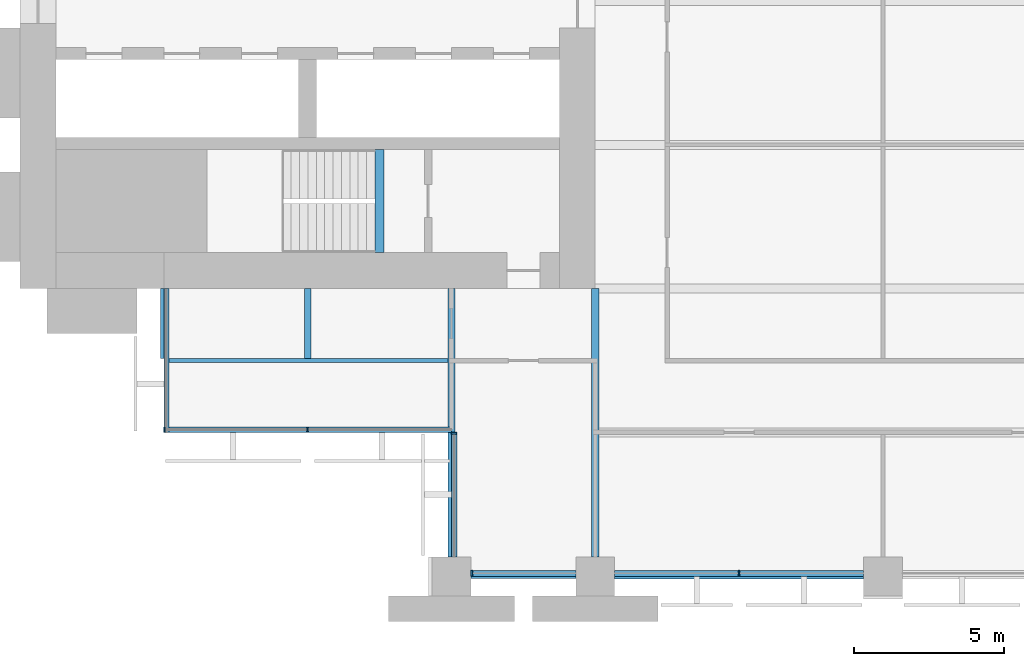
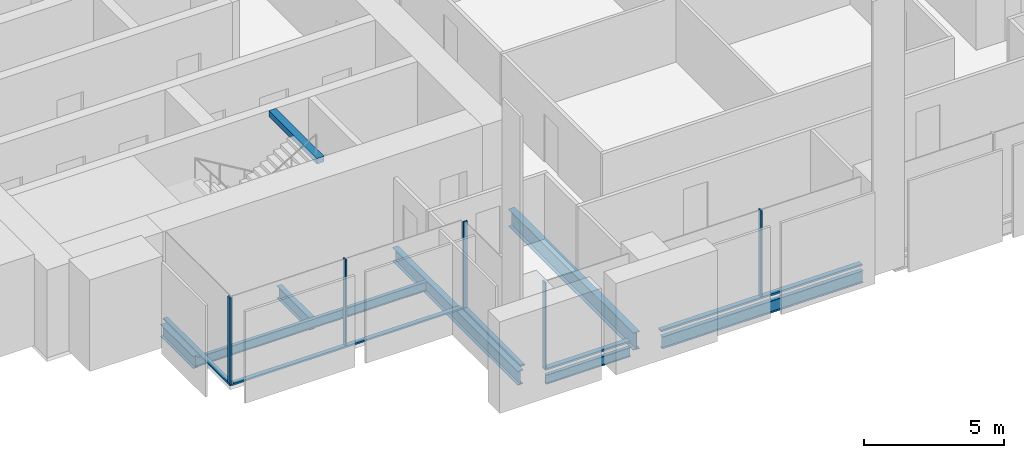
# One storey, part 2 of 14: 10 members, 8 beams, 4 elements without a shape of their own.
"""IFC4 building model written with IfcOpenShell, lengths in metres."""

from ifc_helpers import new_model, si_unit, direction, frame, origin, origin_2d, place, context, subcontext, project, spatial, rectangle, i_section, extrude, material, material_profile, profile_set, type_object, element, aggregate, save


model = new_model("IFC4")

# Units and contexts
model_context = context("Model", 3, precision=1e-05, world=origin(), true_north=direction((0.0, 1.0)))
body_context = subcontext(model_context, "Body", "Model", "MODEL_VIEW")
ifc_project = project(units=[si_unit("LENGTHUNIT", "METRE"), si_unit("AREAUNIT", "SQUARE_METRE"), si_unit("VOLUMEUNIT", "CUBIC_METRE"), si_unit("PLANEANGLEUNIT", "RADIAN"), si_unit("MASSUNIT", "GRAM", prefix="KILO")], contexts=[model_context])

# Site, building, storey
site_placement = place(None, origin())
site = spatial("IfcSite", under=ifc_project, at=site_placement, CompositionType="ELEMENT")
building_placement = place(site_placement, origin())
building = spatial("IfcBuilding", under=site, at=building_placement, Name="Baori Bourse Tower", CompositionType="ELEMENT")
storey_placement = place(building_placement, frame((0.0, 0.0, 75.0)))
storey = spatial("IfcBuildingStorey", under=building, at=storey_placement, Name="L16", CompositionType="ELEMENT", Elevation=75.0)

# Curtain wall, members
ifc_material_1 = material(Name="Pale anodised aluminium", Category="aluminium")
curtain_wall_type_1 = type_object("IfcCurtainWallType", Name="CW1 Curtain wall", PredefinedType="NOTDEFINED", material=ifc_material_1)
curtain_wall_1_placement = place(storey_placement, origin())
curtain_wall_1 = element("IfcCurtainWall", 1, at=curtain_wall_1_placement, inside=storey, type_object=curtain_wall_type_1, Name="Curtain wall CW1 L16 11", PredefinedType="NOTDEFINED")
ifc_material_2 = material(Name="Pale anodised aluminium", Category="aluminium")
ifc_material_profile_1 = material_profile(ifc_material_2, rectangle(XDim=0.199951171875, YDim=0.06005859375, at=origin_2d()), Name="Mullion 60x200")
ifc_profile_set_1 = profile_set([ifc_material_profile_1], Name="Pale anodised aluminium")
member_type_1 = type_object("IfcMemberType", Name="CW1 Curtain wall mullion", PredefinedType="MULLION", material=ifc_profile_set_1)
member_1_placement = place(storey_placement, frame((15.080078125, 0.10009765625, 0.080078125), z_axis=(0.0, 0.0, 1.0), x_axis=(0.0, 1.0, 0.0)))
member_1 = element("IfcMember", 2, at=member_1_placement, type_object=member_type_1, Name="Curtain wall CW1 mullion", PredefinedType="MULLION", context=body_context, shape_type="SweptSolid", body=[
    extrude(rectangle(XDim=0.199951171875, YDim=0.06005859375, at=origin_2d()), origin(), (0.0, 0.0, 1.0), 3.760009765625),
])
member_2_placement = place(storey_placement, frame((24.0, 0.10009765625, 0.080078125), z_axis=(0.0, 0.0, 1.0), x_axis=(0.0, 1.0, 0.0)))
member_2 = element("IfcMember", 3, at=member_2_placement, type_object=member_type_1, Name="Curtain wall CW1 mullion", PredefinedType="MULLION", context=body_context, shape_type="SweptSolid", body=[
    extrude(rectangle(XDim=0.199951171875, YDim=0.06005859375, at=origin_2d()), origin(), (0.0, 0.0, 1.0), 3.760009765625),
])
ifc_material_3 = material(Name="Pale anodised aluminium", Category="aluminium")
ifc_material_profile_2 = material_profile(ifc_material_3, rectangle(XDim=0.199951171875, YDim=0.080078125, at=origin_2d()), Name="Transom 80x200")
ifc_profile_set_2 = profile_set([ifc_material_profile_2], Name="Pale anodised aluminium")
member_type_2 = type_object("IfcMemberType", Name="CW1 Curtain wall transom", PredefinedType="USERDEFINED", material=ifc_profile_set_2)
member_3_placement = place(storey_placement, frame((15.050048828125, 0.10009765625, 0.0400390625), z_axis=(1.0, 0.0, 0.0), x_axis=(0.0, 1.0, 0.0)))
member_3 = element("IfcMember", 4, at=member_3_placement, type_object=member_type_2, Name="Curtain wall CW1 sill rail", ObjectType="TRANSOM", PredefinedType="USERDEFINED", context=body_context, shape_type="SweptSolid", body=[
    extrude(rectangle(XDim=0.199951171875, YDim=0.080078125, at=origin_2d()), origin(), (0.0, 0.0, 1.0), 3.5),
])
member_4_placement = place(storey_placement, frame((19.85009765625, 0.10009765625, 0.0400390625), z_axis=(1.0, 0.0, 0.0), x_axis=(0.0, 1.0, 0.0)))
member_4 = element("IfcMember", 5, at=member_4_placement, type_object=member_type_2, Name="Curtain wall CW1 sill rail", ObjectType="TRANSOM", PredefinedType="USERDEFINED", context=body_context, shape_type="SweptSolid", body=[
    extrude(rectangle(XDim=0.199951171875, YDim=0.080078125, at=origin_2d()), origin(), (0.0, 0.0, 1.0), 8.2998046875),
])
aggregate(curtain_wall_1, [member_3, member_1, member_4, member_2])

ifc_material_4 = material(Name="Pale anodised aluminium", Category="aluminium")
curtain_wall_type_2 = type_object("IfcCurtainWallType", Name="CW2 Curtain wall", PredefinedType="NOTDEFINED", material=ifc_material_4)
curtain_wall_2_placement = place(storey_placement, origin())
curtain_wall_2 = element("IfcCurtainWall", 6, at=curtain_wall_2_placement, inside=storey, type_object=curtain_wall_type_2, Name="Curtain wall CW2 L16 9", PredefinedType="NOTDEFINED")
ifc_material_5 = material(Name="Pale anodised aluminium", Category="aluminium")
ifc_material_profile_3 = material_profile(ifc_material_5, rectangle(XDim=0.179931640625, YDim=0.054931640625, at=origin_2d()), Name="Mullion 55x180")
ifc_profile_set_3 = profile_set([ifc_material_profile_3], Name="Pale anodised aluminium")
member_type_3 = type_object("IfcMemberType", Name="CW2 Curtain wall mullion", PredefinedType="MULLION", material=ifc_profile_set_3)
member_5_placement = place(storey_placement, frame((4.827392578125, 4.889892578125, 0.070068359375), z_axis=(0.0, 0.0, 1.0), x_axis=(0.0, 1.0, 0.0)))
member_5 = element("IfcMember", 7, at=member_5_placement, type_object=member_type_3, Name="Curtain wall CW2 mullion", PredefinedType="MULLION", context=body_context, shape_type="SweptSolid", body=[
    extrude(rectangle(XDim=0.179931640625, YDim=0.054931640625, at=origin_2d()), origin(), (0.0, 0.0, 1.0), 3.77001953125),
])
member_6_placement = place(storey_placement, frame((9.60009765625, 4.889892578125, 0.070068359375), z_axis=(0.0, 0.0, 1.0), x_axis=(0.0, 1.0, 0.0)))
member_6 = element("IfcMember", 8, at=member_6_placement, type_object=member_type_3, Name="Curtain wall CW2 mullion", PredefinedType="MULLION", context=body_context, shape_type="SweptSolid", body=[
    extrude(rectangle(XDim=0.179931640625, YDim=0.054931640625, at=origin_2d()), origin(), (0.0, 0.0, 1.0), 3.77001953125),
])

# Curtain wall, member
curtain_wall_3_placement = place(storey_placement, origin())
curtain_wall_3 = element("IfcCurtainWall", 9, at=curtain_wall_3_placement, inside=storey, type_object=curtain_wall_type_2, Name="Curtain wall CW2 L16 10", PredefinedType="NOTDEFINED")
member_7_placement = place(storey_placement, frame((14.489990234375, 4.7724609375, 0.070068359375), z_axis=(0.0, 0.0, 1.0), x_axis=(1.0, 0.0, 0.0)))
member_7 = element("IfcMember", 10, at=member_7_placement, type_object=member_type_3, Name="Curtain wall CW2 mullion", PredefinedType="MULLION", context=body_context, shape_type="SweptSolid", body=[
    extrude(rectangle(XDim=0.179931640625, YDim=0.054931640625, at=origin_2d()), origin(), (0.0, 0.0, 1.0), 3.77001953125),
])

curtain_wall_4_placement = place(storey_placement, origin())
curtain_wall_4 = element("IfcCurtainWall", 11, at=curtain_wall_4_placement, inside=storey, type_object=curtain_wall_type_2, Name="Curtain wall CW2 L16 8", PredefinedType="NOTDEFINED")
ifc_material_6 = material(Name="Pale anodised aluminium", Category="aluminium")
ifc_material_profile_4 = material_profile(ifc_material_6, rectangle(XDim=0.179931640625, YDim=0.070068359375, at=origin_2d()), Name="Transom 70x180")
ifc_profile_set_4 = profile_set([ifc_material_profile_4], Name="Pale anodised aluminium")
member_type_4 = type_object("IfcMemberType", Name="CW2 Curtain wall transom", PredefinedType="USERDEFINED", material=ifc_profile_set_4)
member_8_placement = place(storey_placement, frame((4.889892578125, 9.60009765625, 0.034912109375), z_axis=(0.0, -1.0, 0.0), x_axis=(1.0, 0.0, 0.0)))
member_8 = element("IfcMember", 12, at=member_8_placement, type_object=member_type_4, Name="Curtain wall CW2 sill rail", ObjectType="TRANSOM", PredefinedType="USERDEFINED", context=body_context, shape_type="SweptSolid", body=[
    extrude(rectangle(XDim=0.179931640625, YDim=0.070068359375, at=origin_2d()), origin(), (0.0, 0.0, 1.0), 4.800048828125),
])
aggregate(curtain_wall_4, [member_8])

# Member
member_9_placement = place(storey_placement, frame((4.800048828125, 4.889892578125, 0.034912109375), z_axis=(1.0, 0.0, 0.0), x_axis=(0.0, 1.0, 0.0)))
member_9 = element("IfcMember", 13, at=member_9_placement, type_object=member_type_4, Name="Curtain wall CW2 sill rail", ObjectType="TRANSOM", PredefinedType="USERDEFINED", context=body_context, shape_type="SweptSolid", body=[
    extrude(rectangle(XDim=0.179931640625, YDim=0.070068359375, at=origin_2d()), origin(), (0.0, 0.0, 1.0), 9.599853515625),
])

aggregate(curtain_wall_2, [member_9, member_5, member_6])

member_10_placement = place(storey_placement, frame((14.489990234375, 4.800048828125, 0.034912109375), z_axis=(0.0, -1.0, 0.0), x_axis=(1.0, 0.0, 0.0)))
member_10 = element("IfcMember", 14, at=member_10_placement, type_object=member_type_4, Name="Curtain wall CW2 sill rail", ObjectType="TRANSOM", PredefinedType="USERDEFINED", context=body_context, shape_type="SweptSolid", body=[
    extrude(rectangle(XDim=0.179931640625, YDim=0.070068359375, at=origin_2d()), origin(), (0.0, 0.0, 1.0), 4.150146484375),
])

aggregate(curtain_wall_3, [member_10, member_7])

# Beams
ifc_material_7 = material(Name="Steel A992 Gr 50", Category="steel")
ifc_material_profile_5 = material_profile(ifc_material_7, i_section(OverallWidth=0.21240234375, OverallDepth=0.54345703125, WebThickness=0.01318359375, FlangeThickness=0.021240234375, at=origin_2d()), Name="W21x83")
ifc_profile_set_5 = profile_set([ifc_material_profile_5], Name="Steel A992 Gr 50")
beam_type_1 = type_object("IfcBeamType", Name="Core bracket W21x83", PredefinedType="BEAM", material=ifc_profile_set_5)
for number, where, z_axis, x_axis, name in (
    (15, (4.800048828125, 7.270263671875, -0.431884765625), (0.0, 1.0, 0.0), (-1.0, 0.0, 0.0), "Core bracket L16"),
    (16, (9.60009765625, 7.270263671875, -0.431884765625), (0.0, 1.0, 0.0), (-1.0, 0.0, 0.0), "Core bracket L16"),
):
    element("IfcBeam", number, at=place(storey_placement, frame(where, z_axis=z_axis, x_axis=x_axis)), inside=storey, type_object=beam_type_1, Name=name, PredefinedType="BEAM", context=body_context, shape_type="SweptSolid", body=[
        extrude(i_section(OverallWidth=0.21240234375, OverallDepth=0.54345703125, WebThickness=0.01318359375, FlangeThickness=0.021240234375, at=origin_2d()), origin(), (0.0, 0.0, 1.0), 2.329833984375),
    ])
ifc_material_8 = material(Name="Steel A992 Gr 50", Category="steel")
ifc_material_profile_6 = material_profile(ifc_material_8, i_section(OverallWidth=0.140380859375, OverallDepth=0.40380859375, WebThickness=0.007080078125, FlangeThickness=0.01123046875, at=origin_2d()), Name="W16x31")
ifc_profile_set_6 = profile_set([ifc_material_profile_6], Name="Steel A992 Gr 50")
beam_type_2 = type_object("IfcBeamType", Name="Edge beam W16x31", PredefinedType="BEAM", material=ifc_profile_set_6)
beam_1_placement = place(storey_placement, frame((15.050048828125, 0.0, -0.36181640625), z_axis=(1.0, 0.0, 0.0), x_axis=(0.0, 1.0, 0.0)))
element("IfcBeam", 17, at=beam_1_placement, inside=storey, type_object=beam_type_2, Name="Edge beam L16", PredefinedType="BEAM", context=body_context, shape_type="SweptSolid", body=[
    extrude(i_section(OverallWidth=0.140380859375, OverallDepth=0.40380859375, WebThickness=0.007080078125, FlangeThickness=0.01123046875, at=origin_2d()), origin(), (0.0, 0.0, 1.0), 3.5),
])
ifc_material_9 = material(Name="Steel A992 Gr 50", Category="steel")
ifc_material_profile_7 = material_profile(ifc_material_9, i_section(OverallWidth=0.1650390625, OverallDepth=0.52587890625, WebThickness=0.0087890625, FlangeThickness=0.011474609375, at=origin_2d()), Name="W21x44")
ifc_profile_set_7 = profile_set([ifc_material_profile_7], Name="Steel A992 Gr 50")
beam_type_3 = type_object("IfcBeamType", Name="Edge beam W21x44", PredefinedType="BEAM", material=ifc_profile_set_7)
beam_2_placement = place(storey_placement, frame((19.85009765625, 0.0, -0.4228515625), z_axis=(1.0, 0.0, 0.0), x_axis=(0.0, 1.0, 0.0)))
element("IfcBeam", 18, at=beam_2_placement, inside=storey, type_object=beam_type_3, Name="Edge beam L16", PredefinedType="BEAM", context=body_context, shape_type="SweptSolid", body=[
    extrude(i_section(OverallWidth=0.1650390625, OverallDepth=0.52587890625, WebThickness=0.0087890625, FlangeThickness=0.011474609375, at=origin_2d()), origin(), (0.0, 0.0, 1.0), 8.2998046875),
])
ifc_material_10 = material(Name="Steel A992 Gr 50", Category="steel")
ifc_material_profile_8 = material_profile(ifc_material_10, i_section(OverallWidth=0.22900390625, OverallDepth=0.612060546875, WebThickness=0.011962890625, FlangeThickness=0.01953125, at=origin_2d()), Name="W24x84")
ifc_profile_set_8 = profile_set([ifc_material_profile_8], Name="Steel A992 Gr 50")
beam_type_4 = type_object("IfcBeamType", Name="Floor beam W24x84", PredefinedType="BEAM", material=ifc_profile_set_8)
beam_3_placement = place(storey_placement, frame((14.39990234375, 0.64990234375, -0.466064453125), z_axis=(0.0, 1.0, 0.0), x_axis=(-1.0, 0.0, 0.0)))
element("IfcBeam", 19, at=beam_3_placement, inside=storey, type_object=beam_type_4, Name="Floor beam L16", PredefinedType="BEAM", context=body_context, shape_type="SweptSolid", body=[
    extrude(i_section(OverallWidth=0.22900390625, OverallDepth=0.612060546875, WebThickness=0.011962890625, FlangeThickness=0.01953125, at=origin_2d()), origin(), (0.0, 0.0, 1.0), 8.9501953125),
])
ifc_material_11 = material(Name="Steel A992 Gr 50", Category="steel")
ifc_material_profile_9 = material_profile(ifc_material_11, i_section(OverallWidth=0.2666015625, OverallDepth=0.7568359375, WebThickness=0.013916015625, FlangeThickness=0.019287109375, at=origin_2d()), Name="W30x108")
ifc_profile_set_9 = profile_set([ifc_material_profile_9], Name="Steel A992 Gr 50")
beam_type_5 = type_object("IfcBeamType", Name="Girder W30x108", PredefinedType="BEAM", material=ifc_profile_set_9)
beam_4_placement = place(storey_placement, frame((19.199951171875, 0.64990234375, -0.53857421875), z_axis=(0.0, 1.0, 0.0), x_axis=(-1.0, 0.0, 0.0)))
element("IfcBeam", 20, at=beam_4_placement, inside=storey, type_object=beam_type_5, Name="Girder L16", PredefinedType="BEAM", context=body_context, shape_type="SweptSolid", body=[
    extrude(i_section(OverallWidth=0.2666015625, OverallDepth=0.7568359375, WebThickness=0.013916015625, FlangeThickness=0.019287109375, at=origin_2d()), origin(), (0.0, 0.0, 1.0), 8.9501953125),
])
ifc_material_12 = material(Name="Concrete f'c 50 MPa", Category="concrete")
ifc_material_profile_10 = material_profile(ifc_material_12, rectangle(XDim=0.300048828125, YDim=0.25, at=origin_2d()), Name="RC 300x250")
ifc_profile_set_10 = profile_set([ifc_material_profile_10], Name="Concrete f'c 50 MPa")
beam_type_6 = type_object("IfcBeamType", Name="Stair nib beam RC 300x250", PredefinedType="BEAM", material=ifc_profile_set_10)
beam_5_placement = place(storey_placement, frame((12.0, 10.800048828125, 3.715087890625), z_axis=(0.0, 1.0, 0.0), x_axis=(-1.0, 0.0, 0.0)))
element("IfcBeam", 21, at=beam_5_placement, inside=storey, type_object=beam_type_6, Name="Stair WA nib beam L17", PredefinedType="BEAM", context=body_context, shape_type="SweptSolid", body=[
    extrude(rectangle(XDim=0.300048828125, YDim=0.25, at=origin_2d()), origin(), (0.0, 0.0, 1.0), 3.449951171875),
])
ifc_material_13 = material(Name="Steel A992 Gr 50", Category="steel")
ifc_material_profile_11 = material_profile(ifc_material_13, i_section(OverallWidth=0.140380859375, OverallDepth=0.40380859375, WebThickness=0.007080078125, FlangeThickness=0.01123046875, at=origin_2d()), Name="W16x31")
ifc_profile_set_11 = profile_set([ifc_material_profile_11], Name="Steel A992 Gr 50")
beam_type_7 = type_object("IfcBeamType", Name="Trimmer beam W16x31", PredefinedType="BEAM", material=ifc_profile_set_11)
beam_6_placement = place(storey_placement, frame((4.800048828125, 7.199951171875, -0.36181640625), z_axis=(1.0, 0.0, 0.0), x_axis=(0.0, 1.0, 0.0)))
element("IfcBeam", 22, at=beam_6_placement, inside=storey, type_object=beam_type_7, Name="Trimmer beam L16", PredefinedType="BEAM", context=body_context, shape_type="SweptSolid", body=[
    extrude(i_section(OverallWidth=0.140380859375, OverallDepth=0.40380859375, WebThickness=0.007080078125, FlangeThickness=0.01123046875, at=origin_2d()), origin(), (0.0, 0.0, 1.0), 9.4853515625),
])

save(model, "model.ifc")
